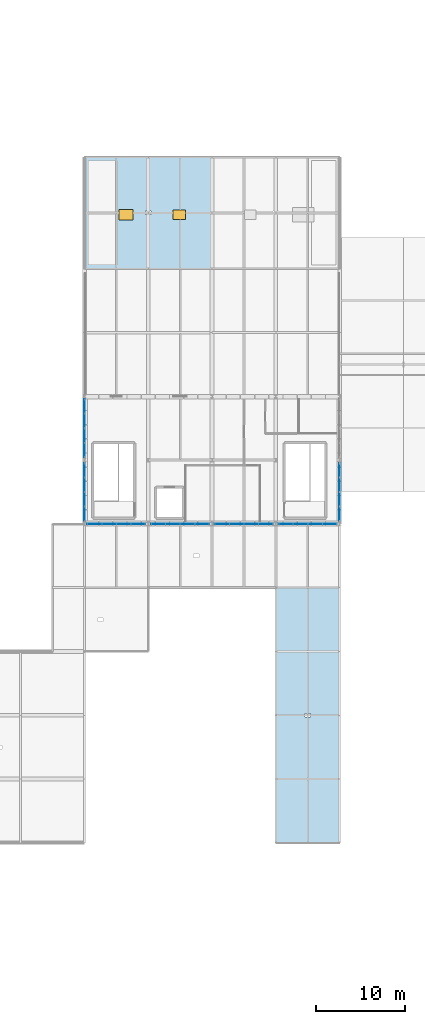
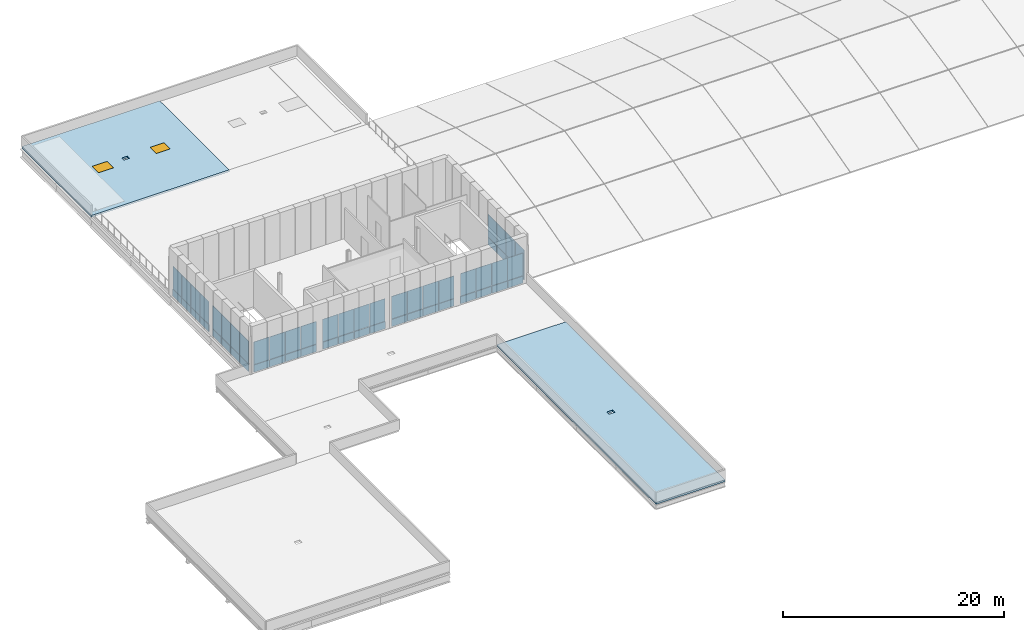
# One storey, part 30 of 47: 56 plates, 2 slabs, 2 windows, 2 openings, 7 elements without a shape of their own.
"""IFC4 building model written with IfcOpenShell, lengths in metres."""

from ifc_helpers import new_model, si_unit, direction, frame, origin, origin_2d, place, context, subcontext, project, spatial, polyline, rectangle, outline, extrude, material, layer, layer_set, type_object, element, fill, aggregate, save


model = new_model("IFC4")

# Units and contexts
model_context = context("Model", 3, precision=1e-05, world=origin(), true_north=direction((0.0, 1.0)))
body_context = subcontext(model_context, "Body", "Model", "MODEL_VIEW")
ifc_project = project(units=[si_unit("LENGTHUNIT", "METRE"), si_unit("AREAUNIT", "SQUARE_METRE"), si_unit("VOLUMEUNIT", "CUBIC_METRE"), si_unit("PLANEANGLEUNIT", "RADIAN"), si_unit("MASSUNIT", "GRAM", prefix="KILO")], contexts=[model_context])

# Site, building, storey
site_placement = place(None, origin())
site = spatial("IfcSite", under=ifc_project, at=site_placement, CompositionType="ELEMENT")
building_placement = place(site_placement, origin())
building = spatial("IfcBuilding", under=site, at=building_placement, Name="Yarey Park Central Fire Station", CompositionType="ELEMENT")
storey_placement = place(building_placement, frame((0.0, 0.0, 18.0)))
storey = spatial("IfcBuildingStorey", under=building, at=storey_placement, Name="L05", CompositionType="ELEMENT", Elevation=18.0)

# Curtain wall, plates
ifc_material_1 = material(Name="Anodized Aluminium Frame", Category="aluminium")
curtain_wall_type = type_object("IfcCurtainWallType", Name="ENV_CW_V3_PAV", PredefinedType="NOTDEFINED", material=ifc_material_1)
curtain_wall_1_placement = place(storey_placement, origin())
curtain_wall_1 = element("IfcCurtainWall", 1, at=curtain_wall_1_placement, inside=storey, type_object=curtain_wall_type, Name="CW_L05_V3_S_080", PredefinedType="NOTDEFINED")
ifc_material_2 = material(Name="Insulated Aluminium Spandrel Panel", Category="aluminium")
ifc_layer_1 = layer(ifc_material_2, 0.055908203125)
ifc_layer_set_1 = layer_set([ifc_layer_1], Name="Insulated Aluminium Spandrel Panel")
plate_type_1 = type_object("IfcPlateType", Name="ENV_PNL_SPN_01", PredefinedType="CURTAIN_PANEL", material=ifc_layer_set_1)
plate_1_placement = place(storey_placement, frame((37.132568359375, 57.60009765625, 0.04248046875), z_axis=(0.0, 0.0, 1.0), x_axis=(1.0, 0.0, 0.0)))
plate_1 = element("IfcPlate", 2, at=plate_1_placement, type_object=plate_type_1, Name="CW_L05_V3_S_080_PNL01", PredefinedType="CURTAIN_PANEL", context=body_context, shape_type="SweptSolid", body=[
    extrude(rectangle(XDim=1.60498046875, YDim=0.055908203125, at=origin_2d()), origin(), (0.0, 0.0, 1.0), 0.7900390625),
])
plate_2_placement = place(storey_placement, frame((38.777587890625, 57.60009765625, 0.04248046875), z_axis=(0.0, 0.0, 1.0), x_axis=(1.0, 0.0, 0.0)))
plate_2 = element("IfcPlate", 3, at=plate_2_placement, type_object=plate_type_1, Name="CW_L05_V3_S_080_PNL03", PredefinedType="CURTAIN_PANEL", context=body_context, shape_type="SweptSolid", body=[
    extrude(rectangle(XDim=1.60498046875, YDim=0.055908203125, at=origin_2d()), origin(), (0.0, 0.0, 1.0), 0.7900390625),
])
plate_3_placement = place(storey_placement, frame((40.422607421875, 57.60009765625, 0.04248046875), z_axis=(0.0, 0.0, 1.0), x_axis=(1.0, 0.0, 0.0)))
plate_3 = element("IfcPlate", 4, at=plate_3_placement, type_object=plate_type_1, Name="CW_L05_V3_S_080_PNL05", PredefinedType="CURTAIN_PANEL", context=body_context, shape_type="SweptSolid", body=[
    extrude(rectangle(XDim=1.60498046875, YDim=0.055908203125, at=origin_2d()), origin(), (0.0, 0.0, 1.0), 0.7900390625),
])
plate_4_placement = place(storey_placement, frame((42.0673828125, 57.60009765625, 0.04248046875), z_axis=(0.0, 0.0, 1.0), x_axis=(1.0, 0.0, 0.0)))
plate_4 = element("IfcPlate", 5, at=plate_4_placement, type_object=plate_type_1, Name="CW_L05_V3_S_080_PNL07", PredefinedType="CURTAIN_PANEL", context=body_context, shape_type="SweptSolid", body=[
    extrude(rectangle(XDim=1.60498046875, YDim=0.055908203125, at=origin_2d()), origin(), (0.0, 0.0, 1.0), 0.7900390625),
])

curtain_wall_2_placement = place(storey_placement, origin())
curtain_wall_2 = element("IfcCurtainWall", 6, at=curtain_wall_2_placement, inside=storey, type_object=curtain_wall_type, Name="CW_L05_V3_E_084", PredefinedType="NOTDEFINED")
plate_5_placement = place(storey_placement, frame((57.60009765625, 58.732421875, 0.04248046875), z_axis=(0.0, 0.0, 1.0), x_axis=(0.0, 1.0, 0.0)))
plate_5 = element("IfcPlate", 7, at=plate_5_placement, type_object=plate_type_1, Name="CW_L05_V3_E_084_PNL01", PredefinedType="CURTAIN_PANEL", context=body_context, shape_type="SweptSolid", body=[
    extrude(rectangle(XDim=1.60498046875, YDim=0.055908203125, at=origin_2d()), origin(), (0.0, 0.0, 1.0), 0.7900390625),
])
plate_6_placement = place(storey_placement, frame((57.60009765625, 60.37744140625, 0.04248046875), z_axis=(0.0, 0.0, 1.0), x_axis=(0.0, 1.0, 0.0)))
plate_6 = element("IfcPlate", 8, at=plate_6_placement, type_object=plate_type_1, Name="CW_L05_V3_E_084_PNL03", PredefinedType="CURTAIN_PANEL", context=body_context, shape_type="SweptSolid", body=[
    extrude(rectangle(XDim=1.60498046875, YDim=0.055908203125, at=origin_2d()), origin(), (0.0, 0.0, 1.0), 0.7900390625),
])
plate_7_placement = place(storey_placement, frame((57.60009765625, 62.0224609375, 0.04248046875), z_axis=(0.0, 0.0, 1.0), x_axis=(0.0, 1.0, 0.0)))
plate_7 = element("IfcPlate", 9, at=plate_7_placement, type_object=plate_type_1, Name="CW_L05_V3_E_084_PNL05", PredefinedType="CURTAIN_PANEL", context=body_context, shape_type="SweptSolid", body=[
    extrude(rectangle(XDim=1.60498046875, YDim=0.055908203125, at=origin_2d()), origin(), (0.0, 0.0, 1.0), 0.7900390625),
])
plate_8_placement = place(storey_placement, frame((57.60009765625, 63.66748046875, 0.04248046875), z_axis=(0.0, 0.0, 1.0), x_axis=(0.0, 1.0, 0.0)))
plate_8 = element("IfcPlate", 10, at=plate_8_placement, type_object=plate_type_1, Name="CW_L05_V3_E_084_PNL07", PredefinedType="CURTAIN_PANEL", context=body_context, shape_type="SweptSolid", body=[
    extrude(rectangle(XDim=1.60498046875, YDim=0.055908203125, at=origin_2d()), origin(), (0.0, 0.0, 1.0), 0.7900390625),
])

curtain_wall_3_placement = place(storey_placement, origin())
curtain_wall_3 = element("IfcCurtainWall", 11, at=curtain_wall_3_placement, inside=storey, type_object=curtain_wall_type, Name="CW_L05_V3_S_081", PredefinedType="NOTDEFINED")
ifc_layer_2 = layer(ifc_material_2, 0.068115234375)
ifc_layer_set_2 = layer_set([ifc_layer_2], Name="Insulated Aluminium Spandrel Panel")
plate_type_2 = type_object("IfcPlateType", Name="ENV_PNL_SPN_02", PredefinedType="CURTAIN_PANEL", material=ifc_layer_set_2)
plate_9_placement = place(storey_placement, frame((44.33251953125, 57.60009765625, 0.04248046875), z_axis=(0.0, 0.0, 1.0), x_axis=(1.0, 0.0, 0.0)))
plate_9 = element("IfcPlate", 12, at=plate_9_placement, type_object=plate_type_2, Name="CW_L05_V3_S_081_PNL01", PredefinedType="CURTAIN_PANEL", context=body_context, shape_type="SweptSolid", body=[
    extrude(rectangle(XDim=1.60498046875, YDim=0.068115234375, at=origin_2d()), origin(), (0.0, 0.0, 1.0), 0.7900390625),
])
plate_10_placement = place(storey_placement, frame((45.9775390625, 57.60009765625, 0.04248046875), z_axis=(0.0, 0.0, 1.0), x_axis=(1.0, 0.0, 0.0)))
plate_10 = element("IfcPlate", 13, at=plate_10_placement, type_object=plate_type_2, Name="CW_L05_V3_S_081_PNL03", PredefinedType="CURTAIN_PANEL", context=body_context, shape_type="SweptSolid", body=[
    extrude(rectangle(XDim=1.60498046875, YDim=0.068115234375, at=origin_2d()), origin(), (0.0, 0.0, 1.0), 0.7900390625),
])
plate_11_placement = place(storey_placement, frame((47.62255859375, 57.60009765625, 0.04248046875), z_axis=(0.0, 0.0, 1.0), x_axis=(1.0, 0.0, 0.0)))
plate_11 = element("IfcPlate", 14, at=plate_11_placement, type_object=plate_type_2, Name="CW_L05_V3_S_081_PNL05", PredefinedType="CURTAIN_PANEL", context=body_context, shape_type="SweptSolid", body=[
    extrude(rectangle(XDim=1.60498046875, YDim=0.068115234375, at=origin_2d()), origin(), (0.0, 0.0, 1.0), 0.7900390625),
])
plate_12_placement = place(storey_placement, frame((49.267578125, 57.60009765625, 0.04248046875), z_axis=(0.0, 0.0, 1.0), x_axis=(1.0, 0.0, 0.0)))
plate_12 = element("IfcPlate", 15, at=plate_12_placement, type_object=plate_type_2, Name="CW_L05_V3_S_081_PNL07", PredefinedType="CURTAIN_PANEL", context=body_context, shape_type="SweptSolid", body=[
    extrude(rectangle(XDim=1.60498046875, YDim=0.068115234375, at=origin_2d()), origin(), (0.0, 0.0, 1.0), 0.7900390625),
])

curtain_wall_4_placement = place(storey_placement, origin())
curtain_wall_4 = element("IfcCurtainWall", 16, at=curtain_wall_4_placement, inside=storey, type_object=curtain_wall_type, Name="CW_L05_V3_W_085", PredefinedType="NOTDEFINED")
plate_13_placement = place(storey_placement, frame((28.800048828125, 70.867431640625, 0.04248046875), z_axis=(0.0, 0.0, 1.0), x_axis=(0.0, -1.0, 0.0)))
plate_13 = element("IfcPlate", 17, at=plate_13_placement, type_object=plate_type_2, Name="CW_L05_V3_W_085_PNL01", PredefinedType="CURTAIN_PANEL", context=body_context, shape_type="SweptSolid", body=[
    extrude(rectangle(XDim=1.60498046875, YDim=0.068115234375, at=origin_2d()), origin(), (0.0, 0.0, 1.0), 0.7900390625),
])
plate_14_placement = place(storey_placement, frame((28.800048828125, 69.222412109375, 0.04248046875), z_axis=(0.0, 0.0, 1.0), x_axis=(0.0, -1.0, 0.0)))
plate_14 = element("IfcPlate", 18, at=plate_14_placement, type_object=plate_type_2, Name="CW_L05_V3_W_085_PNL03", PredefinedType="CURTAIN_PANEL", context=body_context, shape_type="SweptSolid", body=[
    extrude(rectangle(XDim=1.60498046875, YDim=0.068115234375, at=origin_2d()), origin(), (0.0, 0.0, 1.0), 0.7900390625),
])
plate_15_placement = place(storey_placement, frame((28.800048828125, 67.577392578125, 0.04248046875), z_axis=(0.0, 0.0, 1.0), x_axis=(0.0, -1.0, 0.0)))
plate_15 = element("IfcPlate", 19, at=plate_15_placement, type_object=plate_type_2, Name="CW_L05_V3_W_085_PNL05", PredefinedType="CURTAIN_PANEL", context=body_context, shape_type="SweptSolid", body=[
    extrude(rectangle(XDim=1.60498046875, YDim=0.068115234375, at=origin_2d()), origin(), (0.0, 0.0, 1.0), 0.7900390625),
])
plate_16_placement = place(storey_placement, frame((28.800048828125, 65.9326171875, 0.04248046875), z_axis=(0.0, 0.0, 1.0), x_axis=(0.0, -1.0, 0.0)))
plate_16 = element("IfcPlate", 20, at=plate_16_placement, type_object=plate_type_2, Name="CW_L05_V3_W_085_PNL07", PredefinedType="CURTAIN_PANEL", context=body_context, shape_type="SweptSolid", body=[
    extrude(rectangle(XDim=1.60498046875, YDim=0.068115234375, at=origin_2d()), origin(), (0.0, 0.0, 1.0), 0.7900390625),
])

curtain_wall_5_placement = place(storey_placement, origin())
curtain_wall_5 = element("IfcCurtainWall", 21, at=curtain_wall_5_placement, inside=storey, type_object=curtain_wall_type, Name="CW_L05_V3_S_082", PredefinedType="NOTDEFINED")
ifc_layer_3 = layer(ifc_material_2, 0.077880859375)
ifc_layer_set_3 = layer_set([ifc_layer_3], Name="Insulated Aluminium Spandrel Panel")
plate_type_3 = type_object("IfcPlateType", Name="ENV_PNL_SPN_03", PredefinedType="CURTAIN_PANEL", material=ifc_layer_set_3)
plate_17_placement = place(storey_placement, frame((51.532470703125, 57.60009765625, 0.04248046875), z_axis=(0.0, 0.0, 1.0), x_axis=(1.0, 0.0, 0.0)))
plate_17 = element("IfcPlate", 22, at=plate_17_placement, type_object=plate_type_3, Name="CW_L05_V3_S_082_PNL01", PredefinedType="CURTAIN_PANEL", context=body_context, shape_type="SweptSolid", body=[
    extrude(rectangle(XDim=1.60498046875, YDim=0.077880859375, at=origin_2d()), origin(), (0.0, 0.0, 1.0), 0.7900390625),
])
plate_18_placement = place(storey_placement, frame((53.177490234375, 57.60009765625, 0.04248046875), z_axis=(0.0, 0.0, 1.0), x_axis=(1.0, 0.0, 0.0)))
plate_18 = element("IfcPlate", 23, at=plate_18_placement, type_object=plate_type_3, Name="CW_L05_V3_S_082_PNL03", PredefinedType="CURTAIN_PANEL", context=body_context, shape_type="SweptSolid", body=[
    extrude(rectangle(XDim=1.60498046875, YDim=0.077880859375, at=origin_2d()), origin(), (0.0, 0.0, 1.0), 0.7900390625),
])
plate_19_placement = place(storey_placement, frame((54.822509765625, 57.60009765625, 0.04248046875), z_axis=(0.0, 0.0, 1.0), x_axis=(1.0, 0.0, 0.0)))
plate_19 = element("IfcPlate", 24, at=plate_19_placement, type_object=plate_type_3, Name="CW_L05_V3_S_082_PNL05", PredefinedType="CURTAIN_PANEL", context=body_context, shape_type="SweptSolid", body=[
    extrude(rectangle(XDim=1.60498046875, YDim=0.077880859375, at=origin_2d()), origin(), (0.0, 0.0, 1.0), 0.7900390625),
])
plate_20_placement = place(storey_placement, frame((56.467529296875, 57.60009765625, 0.04248046875), z_axis=(0.0, 0.0, 1.0), x_axis=(1.0, 0.0, 0.0)))
plate_20 = element("IfcPlate", 25, at=plate_20_placement, type_object=plate_type_3, Name="CW_L05_V3_S_082_PNL07", PredefinedType="CURTAIN_PANEL", context=body_context, shape_type="SweptSolid", body=[
    extrude(rectangle(XDim=1.60498046875, YDim=0.077880859375, at=origin_2d()), origin(), (0.0, 0.0, 1.0), 0.7900390625),
])

curtain_wall_6_placement = place(storey_placement, origin())
curtain_wall_6 = element("IfcCurtainWall", 26, at=curtain_wall_6_placement, inside=storey, type_object=curtain_wall_type, Name="CW_L05_V3_S_079", PredefinedType="NOTDEFINED")
ifc_layer_4 = layer(ifc_material_2, 0.087890625)
ifc_layer_set_4 = layer_set([ifc_layer_4], Name="Insulated Aluminium Spandrel Panel")
plate_type_4 = type_object("IfcPlateType", Name="ENV_PNL_SPN_04", PredefinedType="CURTAIN_PANEL", material=ifc_layer_set_4)
plate_21_placement = place(storey_placement, frame((29.9326171875, 57.60009765625, 0.04248046875), z_axis=(0.0, 0.0, 1.0), x_axis=(1.0, 0.0, 0.0)))
plate_21 = element("IfcPlate", 27, at=plate_21_placement, type_object=plate_type_4, Name="CW_L05_V3_S_079_PNL01", PredefinedType="CURTAIN_PANEL", context=body_context, shape_type="SweptSolid", body=[
    extrude(rectangle(XDim=1.60498046875, YDim=0.087890625, at=origin_2d()), origin(), (0.0, 0.0, 1.0), 0.7900390625),
])
plate_22_placement = place(storey_placement, frame((31.577392578125, 57.60009765625, 0.04248046875), z_axis=(0.0, 0.0, 1.0), x_axis=(1.0, 0.0, 0.0)))
plate_22 = element("IfcPlate", 28, at=plate_22_placement, type_object=plate_type_4, Name="CW_L05_V3_S_079_PNL03", PredefinedType="CURTAIN_PANEL", context=body_context, shape_type="SweptSolid", body=[
    extrude(rectangle(XDim=1.60498046875, YDim=0.087890625, at=origin_2d()), origin(), (0.0, 0.0, 1.0), 0.7900390625),
])
plate_23_placement = place(storey_placement, frame((33.222412109375, 57.60009765625, 0.04248046875), z_axis=(0.0, 0.0, 1.0), x_axis=(1.0, 0.0, 0.0)))
plate_23 = element("IfcPlate", 29, at=plate_23_placement, type_object=plate_type_4, Name="CW_L05_V3_S_079_PNL05", PredefinedType="CURTAIN_PANEL", context=body_context, shape_type="SweptSolid", body=[
    extrude(rectangle(XDim=1.60498046875, YDim=0.087890625, at=origin_2d()), origin(), (0.0, 0.0, 1.0), 0.7900390625),
])
plate_24_placement = place(storey_placement, frame((34.867431640625, 57.60009765625, 0.04248046875), z_axis=(0.0, 0.0, 1.0), x_axis=(1.0, 0.0, 0.0)))
plate_24 = element("IfcPlate", 30, at=plate_24_placement, type_object=plate_type_4, Name="CW_L05_V3_S_079_PNL07", PredefinedType="CURTAIN_PANEL", context=body_context, shape_type="SweptSolid", body=[
    extrude(rectangle(XDim=1.60498046875, YDim=0.087890625, at=origin_2d()), origin(), (0.0, 0.0, 1.0), 0.7900390625),
])

curtain_wall_7_placement = place(storey_placement, origin())
curtain_wall_7 = element("IfcCurtainWall", 31, at=curtain_wall_7_placement, inside=storey, type_object=curtain_wall_type, Name="CW_L05_V3_W_083", PredefinedType="NOTDEFINED")
plate_25_placement = place(storey_placement, frame((28.800048828125, 63.66748046875, 0.04248046875), z_axis=(0.0, 0.0, 1.0), x_axis=(0.0, -1.0, 0.0)))
plate_25 = element("IfcPlate", 32, at=plate_25_placement, type_object=plate_type_4, Name="CW_L05_V3_W_083_PNL01", PredefinedType="CURTAIN_PANEL", context=body_context, shape_type="SweptSolid", body=[
    extrude(rectangle(XDim=1.60498046875, YDim=0.087890625, at=origin_2d()), origin(), (0.0, 0.0, 1.0), 0.7900390625),
])
plate_26_placement = place(storey_placement, frame((28.800048828125, 62.0224609375, 0.04248046875), z_axis=(0.0, 0.0, 1.0), x_axis=(0.0, -1.0, 0.0)))
plate_26 = element("IfcPlate", 33, at=plate_26_placement, type_object=plate_type_4, Name="CW_L05_V3_W_083_PNL03", PredefinedType="CURTAIN_PANEL", context=body_context, shape_type="SweptSolid", body=[
    extrude(rectangle(XDim=1.60498046875, YDim=0.087890625, at=origin_2d()), origin(), (0.0, 0.0, 1.0), 0.7900390625),
])
plate_27_placement = place(storey_placement, frame((28.800048828125, 60.37744140625, 0.04248046875), z_axis=(0.0, 0.0, 1.0), x_axis=(0.0, -1.0, 0.0)))
plate_27 = element("IfcPlate", 34, at=plate_27_placement, type_object=plate_type_4, Name="CW_L05_V3_W_083_PNL05", PredefinedType="CURTAIN_PANEL", context=body_context, shape_type="SweptSolid", body=[
    extrude(rectangle(XDim=1.60498046875, YDim=0.087890625, at=origin_2d()), origin(), (0.0, 0.0, 1.0), 0.7900390625),
])
plate_28_placement = place(storey_placement, frame((28.800048828125, 58.732421875, 0.04248046875), z_axis=(0.0, 0.0, 1.0), x_axis=(0.0, -1.0, 0.0)))
plate_28 = element("IfcPlate", 35, at=plate_28_placement, type_object=plate_type_4, Name="CW_L05_V3_W_083_PNL07", PredefinedType="CURTAIN_PANEL", context=body_context, shape_type="SweptSolid", body=[
    extrude(rectangle(XDim=1.60498046875, YDim=0.087890625, at=origin_2d()), origin(), (0.0, 0.0, 1.0), 0.7900390625),
])

# Plate
ifc_material_3 = material(Name="Laminated Hurricane Low-E Glass", Category="glass")
ifc_layer_5 = layer(ifc_material_3, 0.02392578125)
ifc_layer_set_5 = layer_set([ifc_layer_5], Name="Laminated Hurricane Low-E Glass")
plate_type_5 = type_object("IfcPlateType", Name="ENV_PNL_VIS_01", PredefinedType="CURTAIN_PANEL", material=ifc_layer_set_5)
plate_29_placement = place(storey_placement, frame((37.132568359375, 57.60009765625, 0.86767578125), z_axis=(0.0, 0.0, 1.0), x_axis=(1.0, 0.0, 0.0)))
plate_29 = element("IfcPlate", 36, at=plate_29_placement, type_object=plate_type_5, Name="CW_L05_V3_S_080_PNL02", PredefinedType="CURTAIN_PANEL", context=body_context, shape_type="SweptSolid", body=[
    extrude(rectangle(XDim=1.60498046875, YDim=0.02392578125, at=origin_2d()), origin(), (0.0, 0.0, 1.0), 2.489990234375),
])

plate_30_placement = place(storey_placement, frame((38.777587890625, 57.60009765625, 0.86767578125), z_axis=(0.0, 0.0, 1.0), x_axis=(1.0, 0.0, 0.0)))
plate_30 = element("IfcPlate", 37, at=plate_30_placement, type_object=plate_type_5, Name="CW_L05_V3_S_080_PNL04", PredefinedType="CURTAIN_PANEL", context=body_context, shape_type="SweptSolid", body=[
    extrude(rectangle(XDim=1.60498046875, YDim=0.02392578125, at=origin_2d()), origin(), (0.0, 0.0, 1.0), 2.489990234375),
])

plate_31_placement = place(storey_placement, frame((40.422607421875, 57.60009765625, 0.86767578125), z_axis=(0.0, 0.0, 1.0), x_axis=(1.0, 0.0, 0.0)))
plate_31 = element("IfcPlate", 38, at=plate_31_placement, type_object=plate_type_5, Name="CW_L05_V3_S_080_PNL06", PredefinedType="CURTAIN_PANEL", context=body_context, shape_type="SweptSolid", body=[
    extrude(rectangle(XDim=1.60498046875, YDim=0.02392578125, at=origin_2d()), origin(), (0.0, 0.0, 1.0), 2.489990234375),
])

plate_32_placement = place(storey_placement, frame((42.0673828125, 57.60009765625, 0.86767578125), z_axis=(0.0, 0.0, 1.0), x_axis=(1.0, 0.0, 0.0)))
plate_32 = element("IfcPlate", 39, at=plate_32_placement, type_object=plate_type_5, Name="CW_L05_V3_S_080_PNL08", PredefinedType="CURTAIN_PANEL", context=body_context, shape_type="SweptSolid", body=[
    extrude(rectangle(XDim=1.60498046875, YDim=0.02392578125, at=origin_2d()), origin(), (0.0, 0.0, 1.0), 2.489990234375),
])

aggregate(curtain_wall_1, [plate_1, plate_29, plate_2, plate_30, plate_3, plate_31, plate_4, plate_32])

plate_33_placement = place(storey_placement, frame((57.60009765625, 58.732421875, 0.86767578125), z_axis=(0.0, 0.0, 1.0), x_axis=(0.0, 1.0, 0.0)))
plate_33 = element("IfcPlate", 40, at=plate_33_placement, type_object=plate_type_5, Name="CW_L05_V3_E_084_PNL02", PredefinedType="CURTAIN_PANEL", context=body_context, shape_type="SweptSolid", body=[
    extrude(rectangle(XDim=1.60498046875, YDim=0.02392578125, at=origin_2d()), origin(), (0.0, 0.0, 1.0), 2.489990234375),
])

plate_34_placement = place(storey_placement, frame((57.60009765625, 60.37744140625, 0.86767578125), z_axis=(0.0, 0.0, 1.0), x_axis=(0.0, 1.0, 0.0)))
plate_34 = element("IfcPlate", 41, at=plate_34_placement, type_object=plate_type_5, Name="CW_L05_V3_E_084_PNL04", PredefinedType="CURTAIN_PANEL", context=body_context, shape_type="SweptSolid", body=[
    extrude(rectangle(XDim=1.60498046875, YDim=0.02392578125, at=origin_2d()), origin(), (0.0, 0.0, 1.0), 2.489990234375),
])

plate_35_placement = place(storey_placement, frame((57.60009765625, 62.0224609375, 0.86767578125), z_axis=(0.0, 0.0, 1.0), x_axis=(0.0, 1.0, 0.0)))
plate_35 = element("IfcPlate", 42, at=plate_35_placement, type_object=plate_type_5, Name="CW_L05_V3_E_084_PNL06", PredefinedType="CURTAIN_PANEL", context=body_context, shape_type="SweptSolid", body=[
    extrude(rectangle(XDim=1.60498046875, YDim=0.02392578125, at=origin_2d()), origin(), (0.0, 0.0, 1.0), 2.489990234375),
])

plate_36_placement = place(storey_placement, frame((57.60009765625, 63.66748046875, 0.86767578125), z_axis=(0.0, 0.0, 1.0), x_axis=(0.0, 1.0, 0.0)))
plate_36 = element("IfcPlate", 43, at=plate_36_placement, type_object=plate_type_5, Name="CW_L05_V3_E_084_PNL08", PredefinedType="CURTAIN_PANEL", context=body_context, shape_type="SweptSolid", body=[
    extrude(rectangle(XDim=1.60498046875, YDim=0.02392578125, at=origin_2d()), origin(), (0.0, 0.0, 1.0), 2.489990234375),
])

aggregate(curtain_wall_2, [plate_5, plate_33, plate_6, plate_34, plate_7, plate_35, plate_8, plate_36])

ifc_layer_6 = layer(ifc_material_3, 0.031982421875)
ifc_layer_set_6 = layer_set([ifc_layer_6], Name="Laminated Hurricane Low-E Glass")
plate_type_6 = type_object("IfcPlateType", Name="ENV_PNL_VIS_02", PredefinedType="CURTAIN_PANEL", material=ifc_layer_set_6)
plate_37_placement = place(storey_placement, frame((44.33251953125, 57.60009765625, 0.86767578125), z_axis=(0.0, 0.0, 1.0), x_axis=(1.0, 0.0, 0.0)))
plate_37 = element("IfcPlate", 44, at=plate_37_placement, type_object=plate_type_6, Name="CW_L05_V3_S_081_PNL02", PredefinedType="CURTAIN_PANEL", context=body_context, shape_type="SweptSolid", body=[
    extrude(rectangle(XDim=1.60498046875, YDim=0.031982421875, at=origin_2d()), origin(), (0.0, 0.0, 1.0), 2.489990234375),
])

plate_38_placement = place(storey_placement, frame((45.9775390625, 57.60009765625, 0.86767578125), z_axis=(0.0, 0.0, 1.0), x_axis=(1.0, 0.0, 0.0)))
plate_38 = element("IfcPlate", 45, at=plate_38_placement, type_object=plate_type_6, Name="CW_L05_V3_S_081_PNL04", PredefinedType="CURTAIN_PANEL", context=body_context, shape_type="SweptSolid", body=[
    extrude(rectangle(XDim=1.60498046875, YDim=0.031982421875, at=origin_2d()), origin(), (0.0, 0.0, 1.0), 2.489990234375),
])

plate_39_placement = place(storey_placement, frame((47.62255859375, 57.60009765625, 0.86767578125), z_axis=(0.0, 0.0, 1.0), x_axis=(1.0, 0.0, 0.0)))
plate_39 = element("IfcPlate", 46, at=plate_39_placement, type_object=plate_type_6, Name="CW_L05_V3_S_081_PNL06", PredefinedType="CURTAIN_PANEL", context=body_context, shape_type="SweptSolid", body=[
    extrude(rectangle(XDim=1.60498046875, YDim=0.031982421875, at=origin_2d()), origin(), (0.0, 0.0, 1.0), 2.489990234375),
])

plate_40_placement = place(storey_placement, frame((49.267578125, 57.60009765625, 0.86767578125), z_axis=(0.0, 0.0, 1.0), x_axis=(1.0, 0.0, 0.0)))
plate_40 = element("IfcPlate", 47, at=plate_40_placement, type_object=plate_type_6, Name="CW_L05_V3_S_081_PNL08", PredefinedType="CURTAIN_PANEL", context=body_context, shape_type="SweptSolid", body=[
    extrude(rectangle(XDim=1.60498046875, YDim=0.031982421875, at=origin_2d()), origin(), (0.0, 0.0, 1.0), 2.489990234375),
])

aggregate(curtain_wall_3, [plate_9, plate_37, plate_10, plate_38, plate_11, plate_39, plate_12, plate_40])

plate_41_placement = place(storey_placement, frame((28.800048828125, 70.867431640625, 0.86767578125), z_axis=(0.0, 0.0, 1.0), x_axis=(0.0, -1.0, 0.0)))
plate_41 = element("IfcPlate", 48, at=plate_41_placement, type_object=plate_type_6, Name="CW_L05_V3_W_085_PNL02", PredefinedType="CURTAIN_PANEL", context=body_context, shape_type="SweptSolid", body=[
    extrude(rectangle(XDim=1.60498046875, YDim=0.031982421875, at=origin_2d()), origin(), (0.0, 0.0, 1.0), 2.489990234375),
])

plate_42_placement = place(storey_placement, frame((28.800048828125, 69.222412109375, 0.86767578125), z_axis=(0.0, 0.0, 1.0), x_axis=(0.0, -1.0, 0.0)))
plate_42 = element("IfcPlate", 49, at=plate_42_placement, type_object=plate_type_6, Name="CW_L05_V3_W_085_PNL04", PredefinedType="CURTAIN_PANEL", context=body_context, shape_type="SweptSolid", body=[
    extrude(rectangle(XDim=1.60498046875, YDim=0.031982421875, at=origin_2d()), origin(), (0.0, 0.0, 1.0), 2.489990234375),
])

plate_43_placement = place(storey_placement, frame((28.800048828125, 67.577392578125, 0.86767578125), z_axis=(0.0, 0.0, 1.0), x_axis=(0.0, -1.0, 0.0)))
plate_43 = element("IfcPlate", 50, at=plate_43_placement, type_object=plate_type_6, Name="CW_L05_V3_W_085_PNL06", PredefinedType="CURTAIN_PANEL", context=body_context, shape_type="SweptSolid", body=[
    extrude(rectangle(XDim=1.60498046875, YDim=0.031982421875, at=origin_2d()), origin(), (0.0, 0.0, 1.0), 2.489990234375),
])

plate_44_placement = place(storey_placement, frame((28.800048828125, 65.9326171875, 0.86767578125), z_axis=(0.0, 0.0, 1.0), x_axis=(0.0, -1.0, 0.0)))
plate_44 = element("IfcPlate", 51, at=plate_44_placement, type_object=plate_type_6, Name="CW_L05_V3_W_085_PNL08", PredefinedType="CURTAIN_PANEL", context=body_context, shape_type="SweptSolid", body=[
    extrude(rectangle(XDim=1.60498046875, YDim=0.031982421875, at=origin_2d()), origin(), (0.0, 0.0, 1.0), 2.489990234375),
])

aggregate(curtain_wall_4, [plate_13, plate_41, plate_14, plate_42, plate_15, plate_43, plate_16, plate_44])

ifc_layer_7 = layer(ifc_material_3, 0.0380859375)
ifc_layer_set_7 = layer_set([ifc_layer_7], Name="Laminated Hurricane Low-E Glass")
plate_type_7 = type_object("IfcPlateType", Name="ENV_PNL_VIS_03", PredefinedType="CURTAIN_PANEL", material=ifc_layer_set_7)
plate_45_placement = place(storey_placement, frame((51.532470703125, 57.60009765625, 0.86767578125), z_axis=(0.0, 0.0, 1.0), x_axis=(1.0, 0.0, 0.0)))
plate_45 = element("IfcPlate", 52, at=plate_45_placement, type_object=plate_type_7, Name="CW_L05_V3_S_082_PNL02", PredefinedType="CURTAIN_PANEL", context=body_context, shape_type="SweptSolid", body=[
    extrude(rectangle(XDim=1.60498046875, YDim=0.0380859375, at=origin_2d()), origin(), (0.0, 0.0, 1.0), 2.489990234375),
])

plate_46_placement = place(storey_placement, frame((53.177490234375, 57.60009765625, 0.86767578125), z_axis=(0.0, 0.0, 1.0), x_axis=(1.0, 0.0, 0.0)))
plate_46 = element("IfcPlate", 53, at=plate_46_placement, type_object=plate_type_7, Name="CW_L05_V3_S_082_PNL04", PredefinedType="CURTAIN_PANEL", context=body_context, shape_type="SweptSolid", body=[
    extrude(rectangle(XDim=1.60498046875, YDim=0.0380859375, at=origin_2d()), origin(), (0.0, 0.0, 1.0), 2.489990234375),
])

plate_47_placement = place(storey_placement, frame((54.822509765625, 57.60009765625, 0.86767578125), z_axis=(0.0, 0.0, 1.0), x_axis=(1.0, 0.0, 0.0)))
plate_47 = element("IfcPlate", 54, at=plate_47_placement, type_object=plate_type_7, Name="CW_L05_V3_S_082_PNL06", PredefinedType="CURTAIN_PANEL", context=body_context, shape_type="SweptSolid", body=[
    extrude(rectangle(XDim=1.60498046875, YDim=0.0380859375, at=origin_2d()), origin(), (0.0, 0.0, 1.0), 2.489990234375),
])

plate_48_placement = place(storey_placement, frame((56.467529296875, 57.60009765625, 0.86767578125), z_axis=(0.0, 0.0, 1.0), x_axis=(1.0, 0.0, 0.0)))
plate_48 = element("IfcPlate", 55, at=plate_48_placement, type_object=plate_type_7, Name="CW_L05_V3_S_082_PNL08", PredefinedType="CURTAIN_PANEL", context=body_context, shape_type="SweptSolid", body=[
    extrude(rectangle(XDim=1.60498046875, YDim=0.0380859375, at=origin_2d()), origin(), (0.0, 0.0, 1.0), 2.489990234375),
])

aggregate(curtain_wall_5, [plate_17, plate_45, plate_18, plate_46, plate_19, plate_47, plate_20, plate_48])

ifc_layer_8 = layer(ifc_material_3, 0.0458984375)
ifc_layer_set_8 = layer_set([ifc_layer_8], Name="Laminated Hurricane Low-E Glass")
plate_type_8 = type_object("IfcPlateType", Name="ENV_PNL_VIS_04", PredefinedType="CURTAIN_PANEL", material=ifc_layer_set_8)
plate_49_placement = place(storey_placement, frame((29.9326171875, 57.60009765625, 0.86767578125), z_axis=(0.0, 0.0, 1.0), x_axis=(1.0, 0.0, 0.0)))
plate_49 = element("IfcPlate", 56, at=plate_49_placement, type_object=plate_type_8, Name="CW_L05_V3_S_079_PNL02", PredefinedType="CURTAIN_PANEL", context=body_context, shape_type="SweptSolid", body=[
    extrude(rectangle(XDim=1.60498046875, YDim=0.0458984375, at=origin_2d()), origin(), (0.0, 0.0, 1.0), 2.489990234375),
])

plate_50_placement = place(storey_placement, frame((31.577392578125, 57.60009765625, 0.86767578125), z_axis=(0.0, 0.0, 1.0), x_axis=(1.0, 0.0, 0.0)))
plate_50 = element("IfcPlate", 57, at=plate_50_placement, type_object=plate_type_8, Name="CW_L05_V3_S_079_PNL04", PredefinedType="CURTAIN_PANEL", context=body_context, shape_type="SweptSolid", body=[
    extrude(rectangle(XDim=1.60498046875, YDim=0.0458984375, at=origin_2d()), origin(), (0.0, 0.0, 1.0), 2.489990234375),
])

plate_51_placement = place(storey_placement, frame((33.222412109375, 57.60009765625, 0.86767578125), z_axis=(0.0, 0.0, 1.0), x_axis=(1.0, 0.0, 0.0)))
plate_51 = element("IfcPlate", 58, at=plate_51_placement, type_object=plate_type_8, Name="CW_L05_V3_S_079_PNL06", PredefinedType="CURTAIN_PANEL", context=body_context, shape_type="SweptSolid", body=[
    extrude(rectangle(XDim=1.60498046875, YDim=0.0458984375, at=origin_2d()), origin(), (0.0, 0.0, 1.0), 2.489990234375),
])

plate_52_placement = place(storey_placement, frame((34.867431640625, 57.60009765625, 0.86767578125), z_axis=(0.0, 0.0, 1.0), x_axis=(1.0, 0.0, 0.0)))
plate_52 = element("IfcPlate", 59, at=plate_52_placement, type_object=plate_type_8, Name="CW_L05_V3_S_079_PNL08", PredefinedType="CURTAIN_PANEL", context=body_context, shape_type="SweptSolid", body=[
    extrude(rectangle(XDim=1.60498046875, YDim=0.0458984375, at=origin_2d()), origin(), (0.0, 0.0, 1.0), 2.489990234375),
])

aggregate(curtain_wall_6, [plate_21, plate_49, plate_22, plate_50, plate_23, plate_51, plate_24, plate_52])

plate_53_placement = place(storey_placement, frame((28.800048828125, 63.66748046875, 0.86767578125), z_axis=(0.0, 0.0, 1.0), x_axis=(0.0, -1.0, 0.0)))
plate_53 = element("IfcPlate", 60, at=plate_53_placement, type_object=plate_type_8, Name="CW_L05_V3_W_083_PNL02", PredefinedType="CURTAIN_PANEL", context=body_context, shape_type="SweptSolid", body=[
    extrude(rectangle(XDim=1.60498046875, YDim=0.0458984375, at=origin_2d()), origin(), (0.0, 0.0, 1.0), 2.489990234375),
])

plate_54_placement = place(storey_placement, frame((28.800048828125, 62.0224609375, 0.86767578125), z_axis=(0.0, 0.0, 1.0), x_axis=(0.0, -1.0, 0.0)))
plate_54 = element("IfcPlate", 61, at=plate_54_placement, type_object=plate_type_8, Name="CW_L05_V3_W_083_PNL04", PredefinedType="CURTAIN_PANEL", context=body_context, shape_type="SweptSolid", body=[
    extrude(rectangle(XDim=1.60498046875, YDim=0.0458984375, at=origin_2d()), origin(), (0.0, 0.0, 1.0), 2.489990234375),
])

plate_55_placement = place(storey_placement, frame((28.800048828125, 60.37744140625, 0.86767578125), z_axis=(0.0, 0.0, 1.0), x_axis=(0.0, -1.0, 0.0)))
plate_55 = element("IfcPlate", 62, at=plate_55_placement, type_object=plate_type_8, Name="CW_L05_V3_W_083_PNL06", PredefinedType="CURTAIN_PANEL", context=body_context, shape_type="SweptSolid", body=[
    extrude(rectangle(XDim=1.60498046875, YDim=0.0458984375, at=origin_2d()), origin(), (0.0, 0.0, 1.0), 2.489990234375),
])

plate_56_placement = place(storey_placement, frame((28.800048828125, 58.732421875, 0.86767578125), z_axis=(0.0, 0.0, 1.0), x_axis=(0.0, -1.0, 0.0)))
plate_56 = element("IfcPlate", 63, at=plate_56_placement, type_object=plate_type_8, Name="CW_L05_V3_W_083_PNL08", PredefinedType="CURTAIN_PANEL", context=body_context, shape_type="SweptSolid", body=[
    extrude(rectangle(XDim=1.60498046875, YDim=0.0458984375, at=origin_2d()), origin(), (0.0, 0.0, 1.0), 2.489990234375),
])

aggregate(curtain_wall_7, [plate_25, plate_53, plate_26, plate_54, plate_27, plate_55, plate_28, plate_56])

# Slab
ifc_material_4 = material(Name="Concrete C40/50", Category="concrete")
ifc_layer_9 = layer(ifc_material_4, 0.2099609375)
ifc_layer_set_9 = layer_set([ifc_layer_9], Name="Concrete C40/50")
slab_type = type_object("IfcSlabType", Name="STR_ROOF_FLAT210", PredefinedType="ROOF", material=ifc_layer_set_9)
slab_1_placement = place(storey_placement, frame((0.0, 0.0, -0.2099609375)))
element("IfcSlab", 64, at=slab_1_placement, inside=storey, type_object=slab_type, Name="ROOF_L05_V1_E", PredefinedType="ROOF", context=body_context, shape_type="SweptSolid", body=[
    extrude(outline(polyline([(50.39990234375, 21.60009765625), (57.60009765625, 21.60009765625), (57.60009765625, 50.39990234375), (50.39990234375, 50.39990234375), (50.39990234375, 21.60009765625)]), holes=[polyline([(53.699951171875, 35.800048828125), (54.300048828125, 35.800048828125), (54.300048828125, 36.199951171875), (53.699951171875, 36.199951171875), (53.699951171875, 35.800048828125)])]), origin(), (0.0, 0.0, 1.0), 0.2099609375),
])

# Slab, openings, windows
slab_2_placement = place(storey_placement, frame((0.0, 0.0, -0.2099609375)))
slab_2 = element("IfcSlab", 65, at=slab_2_placement, inside=storey, type_object=slab_type, Name="ROOF_L05_V3_CANT1", PredefinedType="ROOF", context=body_context, shape_type="SweptSolid", body=[
    extrude(outline(polyline([(28.800048828125, 86.39990234375), (43.199951171875, 86.39990234375), (43.199951171875, 99.0), (28.800048828125, 99.0), (28.800048828125, 86.39990234375)]), holes=[polyline([(35.699951171875, 92.5), (36.300048828125, 92.5), (36.300048828125, 92.89990234375), (35.699951171875, 92.89990234375), (35.699951171875, 92.5)])]), origin(), (0.0, 0.0, 1.0), 0.2099609375),
])
opening_1_placement = place(slab_2_placement, frame((33.5, 92.5, -0.010009765625)))
opening_1 = element("IfcOpeningElement", 66, at=opening_1_placement, cuts=slab_2, Name="Opening SK-08", PredefinedType="OPENING", context=body_context, shape_type="SweptSolid", body=[
    extrude(rectangle(XDim=1.56005859375, YDim=1.159912109375, at=origin_2d()), origin(), (0.0, 0.0, 1.0), 0.22998046875),
])
opening_2_placement = place(slab_2_placement, frame((39.5, 92.5, -0.010009765625)))
opening_2 = element("IfcOpeningElement", 67, at=opening_2_placement, cuts=slab_2, Name="Opening SK-09", PredefinedType="OPENING", context=body_context, shape_type="SweptSolid", body=[
    extrude(rectangle(XDim=1.43994140625, YDim=1.1201171875, at=origin_2d()), origin(), (0.0, 0.0, 1.0), 0.22998046875),
])
window_type_1 = type_object("IfcWindowType", Name="ENV_SKY_08", PartitioningType="SINGLE_PANEL", PredefinedType="SKYLIGHT", material=ifc_material_3)
window_1_placement = place(slab_2_placement, frame((33.5, 92.5, 0.159912109375)))
window_1 = element("IfcWindow", 68, at=window_1_placement, inside=storey, type_object=window_type_1, Name="SKY_L05_CANT_1", OverallHeight=1.159912109375, OverallWidth=1.56005859375, PartitioningType="SINGLE_PANEL", PredefinedType="SKYLIGHT", context=body_context, shape_type="SweptSolid", body=[
    extrude(rectangle(XDim=1.56005859375, YDim=1.159912109375, at=origin_2d()), origin(), (0.0, 0.0, 1.0), 0.050048828125),
])
fill(opening_1, window_1)
window_type_2 = type_object("IfcWindowType", Name="ENV_SKY_09", PartitioningType="SINGLE_PANEL", PredefinedType="SKYLIGHT", material=ifc_material_3)
window_2_placement = place(slab_2_placement, frame((39.5, 92.5, 0.159912109375)))
window_2 = element("IfcWindow", 69, at=window_2_placement, inside=storey, type_object=window_type_2, Name="SKY_L05_CANT_2", OverallHeight=1.1201171875, OverallWidth=1.43994140625, PartitioningType="SINGLE_PANEL", PredefinedType="SKYLIGHT", context=body_context, shape_type="SweptSolid", body=[
    extrude(rectangle(XDim=1.43994140625, YDim=1.1201171875, at=origin_2d()), origin(), (0.0, 0.0, 1.0), 0.050048828125),
])
fill(opening_2, window_2)

save(model, "model.ifc")
